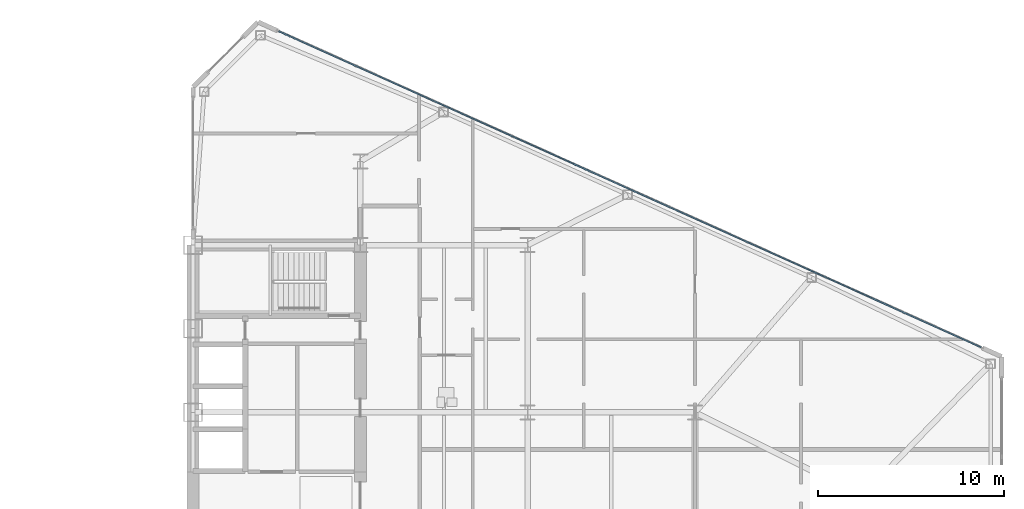
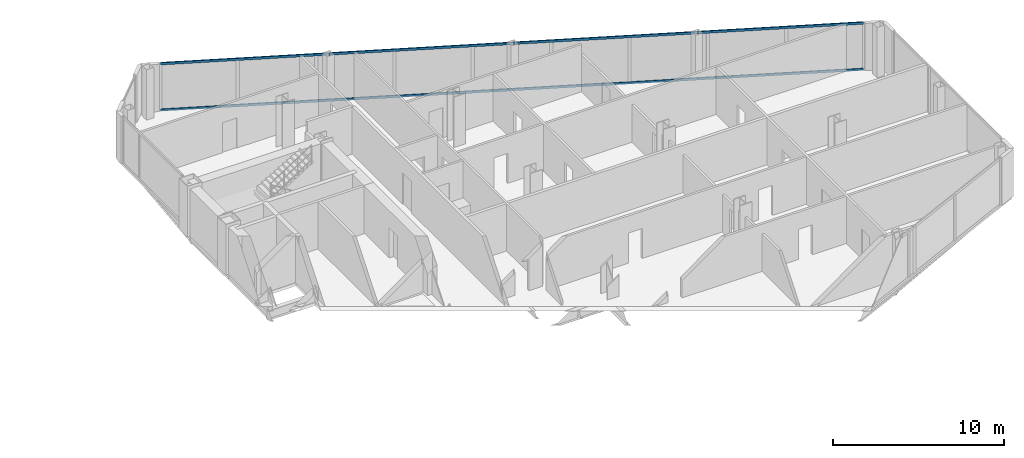
# One storey, part 14 of 27: 2 members, 1 element without a shape of its own.
"""IFC4 building model written with IfcOpenShell, lengths in metres."""

import ifcopenshell
import ifcopenshell.guid

model = None  # the IFC model being written
_history = None  # IfcOwnerHistory: only IFC2X3 demands one
_inside = {}  # id of a spatial element -> (the spatial element, [elements in it])
_under = {}  # id of a project, library or spatial element -> (it, [spatial elements below it])
_declared = {}  # id of a project -> (the project, [libraries it declares])
_typed = {}  # id of a type object -> (the type object, [elements of that type])
_made_of = {}  # id of a material, layer set ... -> (it, [elements and type objects made of it])


def new_model(schema):
    """Start an empty IFC model of exactly this schema.

    Asked for "IFC4X3", IfcOpenShell would pick the latest addendum, in which some entities
    have other attributes; the version numbers below select the first issue.
    IFC2X3 requires an IfcOwnerHistory on every rooted entity: one is made here for all.
    """
    global model, _history
    if schema == "IFC4X3":
        model = ifcopenshell.file(schema_version=(4, 3, 0, 0))
    else:
        model = ifcopenshell.file(schema=schema)
    _inside.clear()
    _under.clear()
    _declared.clear()
    _typed.clear()
    _made_of.clear()
    _history = None
    if model.schema == "IFC2X3":
        org = make("IfcOrganization", Name="unknown")
        user = make(
            "IfcPersonAndOrganization",
            ThePerson=make("IfcPerson", FamilyName="unknown"),
            TheOrganization=org,
        )
        app = make(
            "IfcApplication",
            ApplicationDeveloper=org,
            Version="unknown",
            ApplicationFullName="unknown",
            ApplicationIdentifier="unknown",
        )
        _history = make(
            "IfcOwnerHistory",
            OwningUser=user,
            OwningApplication=app,
            ChangeAction="ADDED",
            CreationDate=0,
        )
    return model


def make(cls, **values):
    """One entity of the class cls with the attributes given. An attribute that is None is left unset."""
    return model.create_entity(
        cls, **{name: value for name, value in values.items() if value is not None}
    )


def rooted(cls, **values):
    """An entity with a GlobalId (a new one), such as an element, a storey or a relation."""
    return make(cls, GlobalId=ifcopenshell.guid.new(), OwnerHistory=_history, **values)


def si_unit(unit_type, name, prefix=None):
    """IfcSIUnit, for example si_unit("LENGTHUNIT", "METRE", prefix="MILLI")."""
    return make("IfcSIUnit", UnitType=unit_type, Prefix=prefix, Name=name)


def assignment(units):
    """IfcUnitAssignment: the units of a project."""
    return None if units is None else make("IfcUnitAssignment", Units=units)


def point(xyz):
    """IfcCartesianPoint."""
    return None if xyz is None else make("IfcCartesianPoint", Coordinates=xyz)


def direction(xyz):
    """IfcDirection."""
    return None if xyz is None else make("IfcDirection", DirectionRatios=xyz)


def frame(location, z_axis=None, x_axis=None):
    """IfcAxis2Placement3D, a coordinate frame: its origin and axes. An axis left out is left unset."""
    return make(
        "IfcAxis2Placement3D",
        Location=point(location),
        Axis=direction(z_axis),
        RefDirection=direction(x_axis),
    )


def frame_2d(location, x_axis=None):
    """IfcAxis2Placement2D, a coordinate frame in the plane: its origin and x axis."""
    return make(
        "IfcAxis2Placement2D", Location=point(location), RefDirection=direction(x_axis)
    )


def origin():
    """The frame at (0, 0, 0) with its axes left unset."""
    return frame((0.0, 0.0, 0.0))


def origin_2d():
    """The frame at (0, 0) in the plane with its x axis left unset."""
    return frame_2d((0.0, 0.0))


def place(relative_to, where):
    """IfcLocalPlacement: puts the frame where relative to a parent placement (None: the world)."""
    return make(
        "IfcLocalPlacement", PlacementRelTo=relative_to, RelativePlacement=where
    )


def context(
    kind, dimensions, precision=None, world=None, true_north=None, identifier=None
):
    """IfcGeometricRepresentationContext, for example the 3D "Model" context."""
    return make(
        "IfcGeometricRepresentationContext",
        ContextIdentifier=identifier,
        ContextType=kind,
        CoordinateSpaceDimension=dimensions,
        Precision=precision,
        WorldCoordinateSystem=world,
        TrueNorth=true_north,
    )


def subcontext(parent, identifier, kind, view, scale=None):
    """IfcGeometricRepresentationSubContext, for example "Body" below "Model"."""
    return make(
        "IfcGeometricRepresentationSubContext",
        ContextIdentifier=identifier,
        ContextType=kind,
        ParentContext=parent,
        TargetScale=scale,
        TargetView=view,
    )


def project(units=None, contexts=None):
    """IfcProject with its units and contexts."""
    return rooted(
        "IfcProject",
        Name="project",
        RepresentationContexts=contexts,
        UnitsInContext=assignment(units),
    )


def spatial(cls, under=None, at=None, **own):
    """A site, building, storey or space (cls), placed at a placement, below another one or the project."""
    s = rooted(cls, ObjectPlacement=at, **own)
    if under is not None:
        _under.setdefault(under.id(), (under, []))[1].append(s)
    return s


def profile(cls, at=None, kind="AREA", **sizes):
    """A parametric profile (cls). Its sizes go by their IFC names, for example OverallWidth=200.0."""
    return make(cls, ProfileType=kind, Position=at, **sizes)


def rectangle(**sizes):
    """IfcRectangleProfileDef."""
    return profile("IfcRectangleProfileDef", **sizes)


def extrude(swept, where, along, depth):
    """IfcExtrudedAreaSolid: the profile swept, set in the frame where, extruded along a direction by depth."""
    return make(
        "IfcExtrudedAreaSolid",
        SweptArea=swept,
        Position=where,
        ExtrudedDirection=direction(along),
        Depth=depth,
    )


def shape(context_of_items, identifier, shape_type, items):
    """IfcShapeRepresentation: the items that make up one representation, for example the "Body"."""
    return make(
        "IfcShapeRepresentation",
        ContextOfItems=context_of_items,
        RepresentationIdentifier=identifier,
        RepresentationType=shape_type,
        Items=items,
    )


def source(mapping_origin, context_of_items, identifier, shape_type, items):
    """IfcRepresentationMap: a shape defined once, which mapped items show again and again."""
    return make(
        "IfcRepresentationMap",
        MappingOrigin=mapping_origin,
        MappedRepresentation=shape(context_of_items, identifier, shape_type, items),
    )


def transform(
    local_origin,
    x_axis=None,
    y_axis=None,
    z_axis=None,
    scale=None,
    scale2=None,
    scale3=None,
    uniform=True,
):
    """IfcCartesianTransformationOperator3D, or its non-uniform kind. x_axis, y_axis, z_axis: its Axis1, 2, 3."""
    if uniform:
        return make(
            "IfcCartesianTransformationOperator3D",
            Axis1=direction(x_axis),
            Axis2=direction(y_axis),
            LocalOrigin=point(local_origin),
            Scale=scale,
            Axis3=direction(z_axis),
        )
    return make(
        "IfcCartesianTransformationOperator3DnonUniform",
        Axis1=direction(x_axis),
        Axis2=direction(y_axis),
        LocalOrigin=point(local_origin),
        Scale=scale,
        Axis3=direction(z_axis),
        Scale2=scale2,
        Scale3=scale3,
    )


def mapped(mapping_source, mapping_target):
    """IfcMappedItem: shows the shape of a source again, moved by a transform."""
    return make(
        "IfcMappedItem", MappingSource=mapping_source, MappingTarget=mapping_target
    )


def material(Name=None, Category=None):
    """IfcMaterial."""
    return make("IfcMaterial", Name=Name, Category=Category)


def layer(
    of_material, thickness, ventilated=None, Name=None, Category=None, Priority=None
):
    """IfcMaterialLayer: one layer of a wall or slab, of a material (None: an air gap)."""
    return make(
        "IfcMaterialLayer",
        Material=of_material,
        LayerThickness=thickness,
        IsVentilated=ventilated,
        Name=Name,
        Category=Category,
        Priority=Priority,
    )


def layer_set(layers, Name=None):
    """IfcMaterialLayerSet."""
    return make("IfcMaterialLayerSet", MaterialLayers=layers, LayerSetName=Name)


def material_profile(
    of_material, cross_section, Name=None, Category=None, Priority=None
):
    """IfcMaterialProfile: a cross section and its material."""
    return make(
        "IfcMaterialProfile",
        Name=Name,
        Material=of_material,
        Profile=cross_section,
        Priority=Priority,
        Category=Category,
    )


def profile_set(profiles, Name=None, composite=None):
    """IfcMaterialProfileSet."""
    return make(
        "IfcMaterialProfileSet",
        Name=Name,
        MaterialProfiles=profiles,
        CompositeProfile=composite,
    )


def made_of(thing, what):
    """Note that an element or type object is made of a material, layer set ...; save() writes the relation."""
    if what is not None:
        _made_of.setdefault(what.id(), (what, []))[1].append(thing)
    return thing


def type_object(cls, material=None, **own):
    """A type object (cls), such as IfcWallType, which elements share."""
    return made_of(rooted(cls, **own), material)


def type_shapes(of_type, sources):
    """Give a type object the sources (RepresentationMaps) that its elements show as mapped items."""
    of_type.RepresentationMaps = sources


def element(
    cls,
    number,
    at=None,
    inside=None,
    cuts=None,
    type_object=None,
    material=None,
    context=None,
    identifier="Body",
    shape_type=None,
    held_by="IfcProductDefinitionShape",
    body=None,
    shapes=None,
    **own,
):
    """One element of the class cls, such as IfcWall. Its Tag is "e" and its number.

    at: its placement. inside: the storey or other place that contains it. cuts: it is an
    opening in that element (IfcRelVoidsElement). A single representation is given by context,
    identifier, shape_type and body (its items); several are given by shapes. held_by: the class
    of the entity that holds the representations. save() writes the other relations.
    """
    e = rooted(cls, Tag="e%d" % number, ObjectPlacement=at, **own)
    if body is not None:
        shapes = [shape(context, identifier, shape_type, body)]
    if shapes is not None:
        e.Representation = make(held_by, Representations=shapes)
    if inside is not None:
        _inside.setdefault(inside.id(), (inside, []))[1].append(e)
    if cuts is not None:
        rooted(
            "IfcRelVoidsElement", RelatingBuildingElement=cuts, RelatedOpeningElement=e
        )
    if type_object is not None:
        _typed.setdefault(type_object.id(), (type_object, []))[1].append(e)
    return made_of(e, material)


def aggregate(whole, parts):
    """IfcRelAggregates: a whole, such as a stair, and the parts it consists of."""
    return rooted("IfcRelAggregates", RelatingObject=whole, RelatedObjects=parts)


def save(model, path):
    """Write the relations noted so far, then the file.

    IfcRelAggregates (storeys below a building ...), IfcRelContainedInSpatialStructure (elements
    in a storey), IfcRelDefinesByType, IfcRelAssociatesMaterial and IfcRelDeclares: one each for
    every whole, place, type object, material and project.
    """
    for whole, parts in _under.values():
        aggregate(whole, parts)
    for where, things in _inside.values():
        rooted(
            "IfcRelContainedInSpatialStructure",
            RelatedElements=things,
            RelatingStructure=where,
        )
    for kind, things in _typed.values():
        rooted("IfcRelDefinesByType", RelatedObjects=things, RelatingType=kind)
    for what, things in _made_of.values():
        rooted("IfcRelAssociatesMaterial", RelatedObjects=things, RelatingMaterial=what)
    for by, libraries in _declared.values():
        rooted("IfcRelDeclares", RelatingContext=by, RelatedDefinitions=libraries)
    model.write(path)


model = new_model("IFC4")

# Units and contexts
model_context = context("Model", 3, precision=1e-05, world=origin(), true_north=direction((0.0, 1.0)))
body_context = subcontext(model_context, "Body", "Model", "MODEL_VIEW")
ifc_project = project(units=[si_unit("LENGTHUNIT", "METRE"), si_unit("AREAUNIT", "SQUARE_METRE"), si_unit("VOLUMEUNIT", "CUBIC_METRE"), si_unit("PLANEANGLEUNIT", "RADIAN"), si_unit("MASSUNIT", "GRAM", prefix="KILO")], contexts=[model_context])

# Site, building, storey
site_placement = place(None, origin())
site = spatial("IfcSite", under=ifc_project, at=site_placement, CompositionType="ELEMENT")
building_placement = place(site_placement, origin())
building = spatial("IfcBuilding", under=site, at=building_placement, Name="Seokmaru Belvedere", CompositionType="ELEMENT")
storey_placement = place(building_placement, frame((0.0, 0.0, 65.699951171875)))
storey = spatial("IfcBuildingStorey", under=building, at=storey_placement, Name="L17", CompositionType="ELEMENT", Elevation=65.699951171875)

# Curtain wall, members
ifc_material_1 = material(Name="Bronze Triple Insulating Glass", Category="glass")
ifc_layer = layer(ifc_material_1, 0.195068359375)
ifc_layer_set = layer_set([ifc_layer], Name="Bronze Triple Insulating Glass")
curtain_wall_type = type_object("IfcCurtainWallType", Name="Lower-Mid Tapered Curtain Wall System CW-3", PredefinedType="NOTDEFINED", material=ifc_layer_set)
curtain_wall_placement = place(storey_placement, origin())
curtain_wall = element("IfcCurtainWall", 1, at=curtain_wall_placement, inside=storey, type_object=curtain_wall_type, Name="L17 Curtain Wall EF3", PredefinedType="NOTDEFINED")
ifc_material_2 = material(Name="Anodised Bronze Aluminium", Category="aluminium")
ifc_material_profile = material_profile(ifc_material_2, rectangle(XDim=0.070068359375, YDim=0.1650390625, at=origin_2d()), Name="CW-T-70x165")
ifc_profile_set = profile_set([ifc_material_profile], Name="Anodised Bronze Aluminium")
member_type = type_object("IfcMemberType", Name="Bronze Unitised Transom 70x165", PredefinedType="USERDEFINED", material=ifc_profile_set)
shared_shape = source(origin(), body_context, "Body", "SweptSolid", [
    extrude(rectangle(XDim=0.070068359375, YDim=0.1650390625, at=origin_2d()), origin(), (0.0, 0.0, 1.0), 41.423583984375),
])
type_shapes(member_type, [shared_shape])
member_1_placement = place(storey_placement, frame((69.887451171875, 8.00048828125, 0.03515625), z_axis=(-0.911918637916, 0.410371048956, 0.0), x_axis=(-0.410371048956, -0.911918637916, 0.0)))
member_1 = element("IfcMember", 2, at=member_1_placement, type_object=member_type, Name="CW:L17:EF3 Continuous Transom 1", ObjectType="TRANSOM", PredefinedType="USERDEFINED", context=body_context, shape_type="MappedRepresentation", body=[
    mapped(shared_shape, transform((0.0, 0.0, 0.0), scale=1.0)),
])
member_2_placement = place(storey_placement, frame((69.887451171875, 8.00048828125, 3.344970703125), z_axis=(-0.911918637916, 0.410371048956, 0.0), x_axis=(-0.410371048956, -0.911918637916, 0.0)))
member_2 = element("IfcMember", 3, at=member_2_placement, type_object=member_type, Name="CW:L17:EF3 Continuous Transom 2", ObjectType="TRANSOM", PredefinedType="USERDEFINED", context=body_context, shape_type="MappedRepresentation", body=[
    mapped(shared_shape, transform((0.0, 0.0, 0.0), scale=1.0)),
])
aggregate(curtain_wall, [member_1, member_2])

save(model, "model.ifc")
